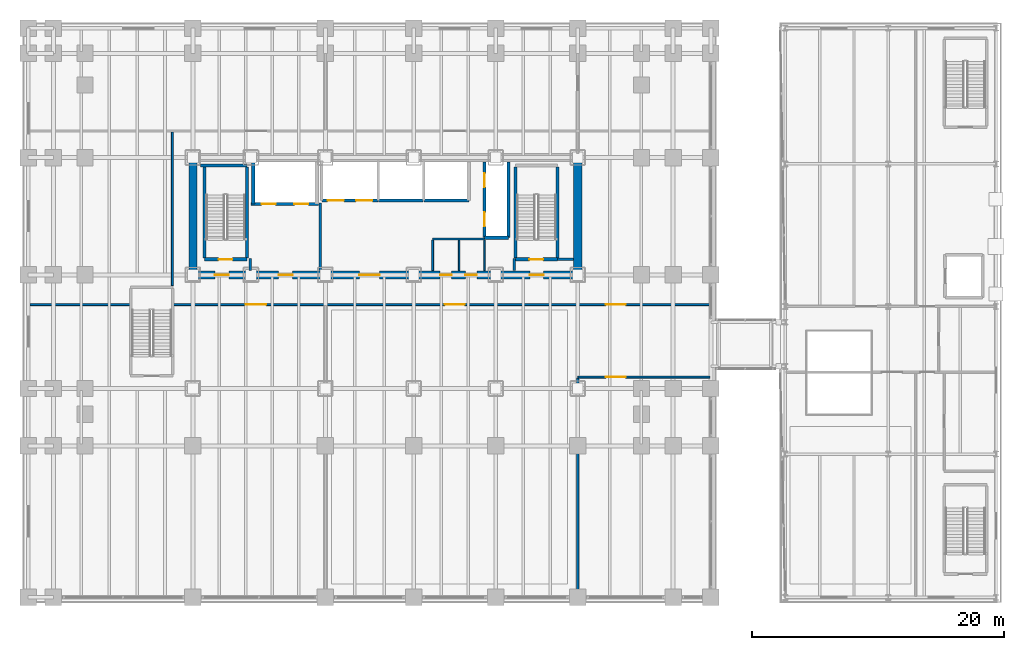
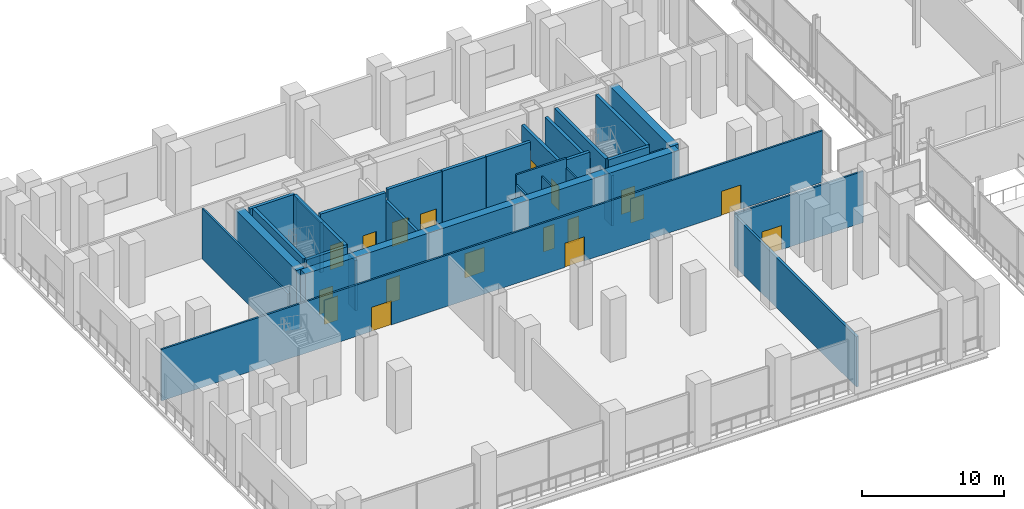
# One storey, part 22 of 31: 30 walls, 18 doors, 18 openings.
"""IFC4 building model written with IfcOpenShell, lengths in metres."""

from ifc_helpers import new_model, si_unit, direction, frame, frame_2d, origin, place, context, subcontext, project, spatial, rectangle, extrude, material, layer, layer_set, type_object, element, fill, save


model = new_model("IFC4")

# Units and contexts
model_context = context("Model", 3, precision=1e-05, world=origin(), true_north=direction((0.0, 1.0)))
body_context = subcontext(model_context, "Body", "Model", "MODEL_VIEW")
ifc_project = project(units=[si_unit("LENGTHUNIT", "METRE"), si_unit("AREAUNIT", "SQUARE_METRE"), si_unit("VOLUMEUNIT", "CUBIC_METRE"), si_unit("PLANEANGLEUNIT", "RADIAN"), si_unit("MASSUNIT", "GRAM", prefix="KILO")], contexts=[model_context])

# Site, building, storey
site_placement = place(None, origin())
site = spatial("IfcSite", under=ifc_project, at=site_placement, CompositionType="ELEMENT")
building_placement = place(site_placement, origin())
building = spatial("IfcBuilding", under=site, at=building_placement, Name="Noeulbin Bourse Tower", CompositionType="ELEMENT")
storey_placement = place(building_placement, frame((0.0, 0.0, 11.199951171875)))
storey = spatial("IfcBuildingStorey", under=building, at=storey_placement, Name="L03", CompositionType="ELEMENT", Elevation=11.199951171875)

# Wall, openings, doors
ifc_material_1 = material(Name="Concrete C60/75", Category="concrete")
ifc_layer_1 = layer(ifc_material_1, 0.64990234375)
ifc_layer_set_1 = layer_set([ifc_layer_1], Name="Concrete C60/75")
wall_type_1 = type_object("IfcWallType", Name="WAL-CORE-650", PredefinedType="SHEAR", material=ifc_layer_set_1)
wall_1_placement = place(storey_placement, frame((13.5, 29.0, 0.0), z_axis=(0.0, 0.0, 1.0), x_axis=(1.0, 0.0, 0.0)))
wall_1 = element("IfcWall", 1, at=wall_1_placement, inside=storey, type_object=wall_type_1, Name="Rear Core South Shear Wall L03", PredefinedType="SHEAR", context=body_context, shape_type="SweptSolid", body=[
    extrude(rectangle(XDim=30.5, YDim=0.64990234375, at=frame_2d((15.25, 0.0))), origin(), (0.0, 0.0, 1.0), 5.150146484375),
])
opening_1_placement = place(wall_1_placement, frame((1.75, 0.0, 0.0)))
opening_1 = element("IfcOpeningElement", 2, at=opening_1_placement, cuts=wall_1, Name="Opening FD-11", PredefinedType="OPENING", context=body_context, shape_type="SweptSolid", body=[
    extrude(rectangle(XDim=1.10009765625, YDim=2.080078125, at=frame_2d((0.550048828125, 1.0400390625))), frame((0.0, 0.3349609375, 0.0), z_axis=(0.0, -1.0, 0.0), x_axis=(1.0, 0.0, 0.0)), (0.0, 0.0, 1.0), 0.669921875),
])
opening_2_placement = place(wall_1_placement, frame((26.699951171875, 0.0, 0.0)))
opening_2 = element("IfcOpeningElement", 3, at=opening_2_placement, cuts=wall_1, Name="Opening FD-11", PredefinedType="OPENING", context=body_context, shape_type="SweptSolid", body=[
    extrude(rectangle(XDim=1.10009765625, YDim=2.080078125, at=frame_2d((0.550048828125, 1.0400390625))), frame((0.0, 0.3349609375, 0.0), z_axis=(0.0, -1.0, 0.0), x_axis=(1.0, 0.0, 0.0)), (0.0, 0.0, 1.0), 0.669921875),
])
opening_3_placement = place(wall_1_placement, frame((6.800048828125, 0.0, 0.0)))
opening_3 = element("IfcOpeningElement", 4, at=opening_3_placement, cuts=wall_1, Name="Opening FD-11", PredefinedType="OPENING", context=body_context, shape_type="SweptSolid", body=[
    extrude(rectangle(XDim=1.10009765625, YDim=2.080078125, at=frame_2d((0.550048828125, 1.0400390625))), frame((0.0, 0.3349609375, 0.0), z_axis=(0.0, -1.0, 0.0), x_axis=(1.0, 0.0, 0.0)), (0.0, 0.0, 1.0), 0.669921875),
])
opening_4_placement = place(wall_1_placement, frame((13.199951171875, 0.0, 0.0)))
opening_4 = element("IfcOpeningElement", 5, at=opening_4_placement, cuts=wall_1, Name="Opening ID-16", PredefinedType="OPENING", context=body_context, shape_type="SweptSolid", body=[
    extrude(rectangle(XDim=1.60009765625, YDim=2.080078125, at=frame_2d((0.800048828125, 1.0400390625))), frame((0.0, 0.3349609375, 0.0), z_axis=(0.0, -1.0, 0.0), x_axis=(1.0, 0.0, 0.0)), (0.0, 0.0, 1.0), 0.669921875),
])
opening_5_placement = place(wall_1_placement, frame((19.60009765625, 0.0, 0.0)))
opening_5 = element("IfcOpeningElement", 6, at=opening_5_placement, cuts=wall_1, Name="Opening FD-09", PredefinedType="OPENING", context=body_context, shape_type="SweptSolid", body=[
    extrude(rectangle(XDim=0.89990234375, YDim=2.080078125, at=frame_2d((0.449951171875, 1.0400390625))), frame((0.0, 0.3349609375, 0.0), z_axis=(0.0, -1.0, 0.0), x_axis=(1.0, 0.0, 0.0)), (0.0, 0.0, 1.0), 0.669921875),
])
opening_6_placement = place(wall_1_placement, frame((21.60009765625, 0.0, 0.0)))
opening_6 = element("IfcOpeningElement", 7, at=opening_6_placement, cuts=wall_1, Name="Opening FD-09", PredefinedType="OPENING", context=body_context, shape_type="SweptSolid", body=[
    extrude(rectangle(XDim=0.89990234375, YDim=2.080078125, at=frame_2d((0.449951171875, 1.0400390625))), frame((0.0, 0.3349609375, 0.0), z_axis=(0.0, -1.0, 0.0), x_axis=(1.0, 0.0, 0.0)), (0.0, 0.0, 1.0), 0.669921875),
])
ifc_material_2 = material(Name="Acoustic Glazed Aluminium", Category="aluminium")
door_type_1 = type_object("IfcDoorType", Name="DR-DBL-1600", OperationType="DOUBLE_DOOR_SINGLE_SWING", PredefinedType="DOOR", material=ifc_material_2)
door_1_placement = place(opening_4_placement, origin())
door_1 = element("IfcDoor", 8, at=door_1_placement, inside=storey, type_object=door_type_1, Name="Passenger Lift Lobby Portal L03", OperationType="DOUBLE_DOOR_SINGLE_SWING", OverallHeight=2.080078125, OverallWidth=1.60009765625, PredefinedType="DOOR", context=body_context, shape_type="SweptSolid", body=[
    extrude(rectangle(XDim=1.60009765625, YDim=2.080078125, at=frame_2d((0.800048828125, 1.0400390625))), frame((0.0, 0.02490234375, 0.0), z_axis=(0.0, -1.0, 0.0), x_axis=(1.0, 0.0, 0.0)), (0.0, 0.0, 1.0), 0.050048828125),
])
fill(opening_4, door_1)
ifc_material_3 = material(Name="Fire-Rated Timber Core", Category="wood")
door_type_2 = type_object("IfcDoorType", Name="DR-FD30-900", OperationType="SINGLE_SWING_RIGHT", PredefinedType="DOOR", material=ifc_material_3)
door_2_placement = place(opening_5_placement, origin())
door_2 = element("IfcDoor", 9, at=door_2_placement, inside=storey, type_object=door_type_2, Name="Interior Door L03-18", OperationType="SINGLE_SWING_LEFT", OverallHeight=2.080078125, OverallWidth=0.89990234375, PredefinedType="DOOR", context=body_context, shape_type="SweptSolid", body=[
    extrude(rectangle(XDim=0.89990234375, YDim=2.080078125, at=frame_2d((0.449951171875, 1.0400390625))), frame((0.0, 0.02490234375, 0.0), z_axis=(0.0, -1.0, 0.0), x_axis=(1.0, 0.0, 0.0)), (0.0, 0.0, 1.0), 0.050048828125),
])
fill(opening_5, door_2)
door_3_placement = place(opening_6_placement, origin())
door_3 = element("IfcDoor", 10, at=door_3_placement, inside=storey, type_object=door_type_2, Name="Interior Door L03-19", OperationType="SINGLE_SWING_RIGHT", OverallHeight=2.080078125, OverallWidth=0.89990234375, PredefinedType="DOOR", context=body_context, shape_type="SweptSolid", body=[
    extrude(rectangle(XDim=0.89990234375, YDim=2.080078125, at=frame_2d((0.449951171875, 1.0400390625))), frame((0.0, 0.02490234375, 0.0), z_axis=(0.0, -1.0, 0.0), x_axis=(1.0, 0.0, 0.0)), (0.0, 0.0, 1.0), 0.050048828125),
])
fill(opening_6, door_3)
ifc_material_4 = material(Name="Fire-Rated Insulated Steel", Category="steel")
door_type_3 = type_object("IfcDoorType", Name="DR-FD60-1100", OperationType="SINGLE_SWING_LEFT", PredefinedType="DOOR", material=ifc_material_4)
door_4_placement = place(opening_1_placement, origin())
door_4 = element("IfcDoor", 11, at=door_4_placement, inside=storey, type_object=door_type_3, Name="West Stair Lobby Door L03", OperationType="SINGLE_SWING_LEFT", OverallHeight=2.080078125, OverallWidth=1.10009765625, PredefinedType="DOOR", context=body_context, shape_type="SweptSolid", body=[
    extrude(rectangle(XDim=1.10009765625, YDim=2.080078125, at=frame_2d((0.550048828125, 1.0400390625))), frame((0.0, 0.02490234375, 0.0), z_axis=(0.0, -1.0, 0.0), x_axis=(1.0, 0.0, 0.0)), (0.0, 0.0, 1.0), 0.050048828125),
])
fill(opening_1, door_4)
door_5_placement = place(opening_2_placement, origin())
door_5 = element("IfcDoor", 12, at=door_5_placement, inside=storey, type_object=door_type_3, Name="East Stair Lobby Door L03", OperationType="SINGLE_SWING_RIGHT", OverallHeight=2.080078125, OverallWidth=1.10009765625, PredefinedType="DOOR", context=body_context, shape_type="SweptSolid", body=[
    extrude(rectangle(XDim=1.10009765625, YDim=2.080078125, at=frame_2d((0.550048828125, 1.0400390625))), frame((0.0, 0.02490234375, 0.0), z_axis=(0.0, -1.0, 0.0), x_axis=(1.0, 0.0, 0.0)), (0.0, 0.0, 1.0), 0.050048828125),
])
fill(opening_2, door_5)
door_6_placement = place(opening_3_placement, origin())
door_6 = element("IfcDoor", 13, at=door_6_placement, inside=storey, type_object=door_type_3, Name="Firefighting Lobby Door L03", OperationType="SINGLE_SWING_LEFT", OverallHeight=2.080078125, OverallWidth=1.10009765625, PredefinedType="DOOR", context=body_context, shape_type="SweptSolid", body=[
    extrude(rectangle(XDim=1.10009765625, YDim=2.080078125, at=frame_2d((0.550048828125, 1.0400390625))), frame((0.0, 0.02490234375, 0.0), z_axis=(0.0, -1.0, 0.0), x_axis=(1.0, 0.0, 0.0)), (0.0, 0.0, 1.0), 0.050048828125),
])
fill(opening_3, door_6)

# Walls
for number, where, z_axis, x_axis, name in (
    (14, (13.5, 29.35009765625, 0.0), (0.0, 0.0, 1.0), (0.0, 1.0, 0.0), "Rear Core West Shear Wall L03"),
    (15, (44.0, 29.35009765625, 0.0), (0.0, 0.0, 1.0), (0.0, 1.0, 0.0), "Rear Core East Shear Wall L03"),
):
    element("IfcWall", number, at=place(storey_placement, frame(where, z_axis=z_axis, x_axis=x_axis)), inside=storey, type_object=wall_type_1, Name=name, PredefinedType="SHEAR", context=body_context, shape_type="SweptSolid", body=[
        extrude(rectangle(XDim=8.599853515625, YDim=0.64990234375, at=frame_2d((4.2998046875, 0.0))), origin(), (0.0, 0.0, 1.0), 5.150146484375),
    ])
ifc_material_5 = material(Name="Concrete C40/50", Category="concrete")
ifc_layer_2 = layer(ifc_material_5, 0.199951171875)
ifc_layer_set_2 = layer_set([ifc_layer_2], Name="Concrete C40/50")
wall_type_2 = type_object("IfcWallType", Name="WAL-FIRE-200", PredefinedType="STANDARD", material=ifc_layer_set_2)
wall_2_placement = place(storey_placement, frame((42.39990234375, 30.239990234375, 0.0), z_axis=(0.0, 0.0, 1.0), x_axis=(1.0, 0.0, 0.0)))
element("IfcWall", 16, at=wall_2_placement, inside=storey, type_object=wall_type_2, Name="Interior Partition Wall L03-07", PredefinedType="STANDARD", context=body_context, shape_type="SweptSolid", body=[
    extrude(rectangle(XDim=1.26513671875, YDim=0.199951171875, at=frame_2d((0.632568359375, 0.0))), origin(), (0.0, 0.0, 1.0), 4.429931640625),
])
wall_3_placement = place(storey_placement, frame((44.0, 3.530029296875, 0.0), z_axis=(0.0, 0.0, 1.0), x_axis=(0.0, 1.0, 0.0)))
element("IfcWall", 17, at=wall_3_placement, inside=storey, type_object=wall_type_2, Name="Interior Partition Wall L03-10", PredefinedType="STANDARD", context=body_context, shape_type="SweptSolid", body=[
    extrude(rectangle(XDim=17.284912109375, YDim=0.199951171875, at=frame_2d((8.642578125, 0.0))), origin(), (0.0, 0.0, 1.0), 4.330078125),
])
for number, where, z_axis, x_axis, name in (
    (18, (18.050048828125, 29.3349609375, 0.0), (0.0, 0.0, 1.0), (0.0, 1.0, 0.0), "Interior Partition Wall L03-19"),
    (19, (38.949951171875, 29.3349609375, 0.0), (0.0, 0.0, 1.0), (0.0, 1.0, 0.0), "Interior Partition Wall L03-20"),
):
    element("IfcWall", number, at=place(storey_placement, frame(where, z_axis=z_axis, x_axis=x_axis)), inside=storey, type_object=wall_type_2, Name=name, PredefinedType="STANDARD", context=body_context, shape_type="SweptSolid", body=[
        extrude(rectangle(XDim=0.965087890625, YDim=0.199951171875, at=frame_2d((0.482421875, 0.0))), origin(), (0.0, 0.0, 1.0), 4.330078125),
    ])
wall_4_placement = place(storey_placement, frame((23.60009765625, 29.3349609375, 0.0), z_axis=(0.0, 0.0, 1.0), x_axis=(0.0, 1.0, 0.0)))
element("IfcWall", 20, at=wall_4_placement, inside=storey, type_object=wall_type_2, Name="Interior Partition Wall L03-21", PredefinedType="STANDARD", context=body_context, shape_type="SweptSolid", body=[
    extrude(rectangle(XDim=5.364990234375, YDim=0.199951171875, at=frame_2d((2.6826171875, 0.0))), origin(), (0.0, 0.0, 1.0), 4.330078125),
])
ifc_material_6 = material(Name="Steel Stud Gypsum Partition", Category="steel")
ifc_layer_3 = layer(ifc_material_6, 0.1201171875)
ifc_layer_set_3 = layer_set([ifc_layer_3], Name="Steel Stud Gypsum Partition")
wall_type_3 = type_object("IfcWallType", Name="WAL-PRT-120", PredefinedType="PARTITIONING", material=ifc_layer_set_3)
for number, where, z_axis, x_axis, name in (
    (21, (36.60009765625, 29.3349609375, 0.0), (0.0, 0.0, 1.0), (0.0, 1.0, 0.0), "Interior Partition Wall L03-23"),
    (22, (34.60009765625, 29.3349609375, 0.0), (0.0, 0.0, 1.0), (0.0, 1.0, 0.0), "Interior Partition Wall L03-24"),
):
    element("IfcWall", number, at=place(storey_placement, frame(where, z_axis=z_axis, x_axis=x_axis)), inside=storey, type_object=wall_type_3, Name=name, PredefinedType="PARTITIONING", context=body_context, shape_type="SweptSolid", body=[
        extrude(rectangle(XDim=2.429931640625, YDim=0.1201171875, at=frame_2d((1.21484375, 0.0))), origin(), (0.0, 0.0, 1.0), 4.330078125),
    ])

# Wall, openings, doors
ifc_material_7 = material(Name="Steel Stud Acoustic Gypsum Board", Category="steel")
ifc_layer_4 = layer(ifc_material_7, 0.14990234375)
ifc_layer_set_4 = layer_set([ifc_layer_4], Name="Steel Stud Acoustic Gypsum Board")
wall_type_4 = type_object("IfcWallType", Name="WAL-PRT-150", PredefinedType="PARTITIONING", material=ifc_layer_set_4)
wall_5_placement = place(storey_placement, frame((0.580078125, 26.64990234375, 0.0), z_axis=(0.0, 0.0, 1.0), x_axis=(1.0, 0.0, 0.0)))
wall_5 = element("IfcWall", 23, at=wall_5_placement, inside=storey, type_object=wall_type_4, Name="Interior Partition Wall L03-01", PredefinedType="PARTITIONING", context=body_context, shape_type="SweptSolid", body=[
    extrude(rectangle(XDim=53.889892578125, YDim=0.14990234375, at=frame_2d((26.94482421875, 0.0))), origin(), (0.0, 0.0, 1.0), 4.429931640625),
])
opening_7_placement = place(wall_5_placement, frame((17.1201171875, 0.0, 0.0)))
opening_7 = element("IfcOpeningElement", 24, at=opening_7_placement, cuts=wall_5, Name="Opening ID-16", PredefinedType="OPENING", context=body_context, shape_type="SweptSolid", body=[
    extrude(rectangle(XDim=1.60009765625, YDim=2.080078125, at=frame_2d((0.800048828125, 1.0400390625))), frame((0.0, 0.0849609375, 0.0), z_axis=(0.0, -1.0, 0.0), x_axis=(1.0, 0.0, 0.0)), (0.0, 0.0, 1.0), 0.169921875),
])
opening_8_placement = place(wall_5_placement, frame((32.8701171875, 0.0, 0.0)))
opening_8 = element("IfcOpeningElement", 25, at=opening_8_placement, cuts=wall_5, Name="Opening ID-16", PredefinedType="OPENING", context=body_context, shape_type="SweptSolid", body=[
    extrude(rectangle(XDim=1.60009765625, YDim=2.080078125, at=frame_2d((0.800048828125, 1.0400390625))), frame((0.0, 0.0849609375, 0.0), z_axis=(0.0, -1.0, 0.0), x_axis=(1.0, 0.0, 0.0)), (0.0, 0.0, 1.0), 0.169921875),
])
opening_9_placement = place(wall_5_placement, frame((45.6201171875, 0.0, 0.0)))
opening_9 = element("IfcOpeningElement", 26, at=opening_9_placement, cuts=wall_5, Name="Opening ID-16", PredefinedType="OPENING", context=body_context, shape_type="SweptSolid", body=[
    extrude(rectangle(XDim=1.60009765625, YDim=2.080078125, at=frame_2d((0.800048828125, 1.0400390625))), frame((0.0, 0.0849609375, 0.0), z_axis=(0.0, -1.0, 0.0), x_axis=(1.0, 0.0, 0.0)), (0.0, 0.0, 1.0), 0.169921875),
])
door_7_placement = place(opening_7_placement, origin())
door_7 = element("IfcDoor", 27, at=door_7_placement, inside=storey, type_object=door_type_1, Name="Interior Door L03-01", OperationType="DOUBLE_DOOR_SINGLE_SWING", OverallHeight=2.080078125, OverallWidth=1.60009765625, PredefinedType="DOOR", context=body_context, shape_type="SweptSolid", body=[
    extrude(rectangle(XDim=1.60009765625, YDim=2.080078125, at=frame_2d((0.800048828125, 1.0400390625))), frame((0.0, 0.02490234375, 0.0), z_axis=(0.0, -1.0, 0.0), x_axis=(1.0, 0.0, 0.0)), (0.0, 0.0, 1.0), 0.050048828125),
])
fill(opening_7, door_7)
door_8_placement = place(opening_8_placement, origin())
door_8 = element("IfcDoor", 28, at=door_8_placement, inside=storey, type_object=door_type_1, Name="Interior Door L03-02", OperationType="DOUBLE_DOOR_SINGLE_SWING", OverallHeight=2.080078125, OverallWidth=1.60009765625, PredefinedType="DOOR", context=body_context, shape_type="SweptSolid", body=[
    extrude(rectangle(XDim=1.60009765625, YDim=2.080078125, at=frame_2d((0.800048828125, 1.0400390625))), frame((0.0, 0.02490234375, 0.0), z_axis=(0.0, -1.0, 0.0), x_axis=(1.0, 0.0, 0.0)), (0.0, 0.0, 1.0), 0.050048828125),
])
fill(opening_8, door_8)
door_9_placement = place(opening_9_placement, origin())
door_9 = element("IfcDoor", 29, at=door_9_placement, inside=storey, type_object=door_type_1, Name="Interior Door L03-04", OperationType="DOUBLE_DOOR_SINGLE_SWING", OverallHeight=2.080078125, OverallWidth=1.60009765625, PredefinedType="DOOR", context=body_context, shape_type="SweptSolid", body=[
    extrude(rectangle(XDim=1.60009765625, YDim=2.080078125, at=frame_2d((0.800048828125, 1.0400390625))), frame((0.0, 0.02490234375, 0.0), z_axis=(0.0, -1.0, 0.0), x_axis=(1.0, 0.0, 0.0)), (0.0, 0.0, 1.0), 0.050048828125),
])
fill(opening_9, door_9)

# Wall, opening, door
wall_6_placement = place(storey_placement, frame((44.0, 20.89990234375, 0.0), z_axis=(0.0, 0.0, 1.0), x_axis=(1.0, 0.0, 0.0)))
wall_6 = element("IfcWall", 30, at=wall_6_placement, inside=storey, type_object=wall_type_4, Name="Interior Partition Wall L03-02", PredefinedType="PARTITIONING", context=body_context, shape_type="SweptSolid", body=[
    extrude(rectangle(XDim=10.469970703125, YDim=0.14990234375, at=frame_2d((5.23486328125, 0.0))), origin(), (0.0, 0.0, 1.0), 4.429931640625),
])
opening_10_placement = place(wall_6_placement, frame((2.199951171875, 0.0, 0.0)))
opening_10 = element("IfcOpeningElement", 31, at=opening_10_placement, cuts=wall_6, Name="Opening ID-16", PredefinedType="OPENING", context=body_context, shape_type="SweptSolid", body=[
    extrude(rectangle(XDim=1.60009765625, YDim=2.080078125, at=frame_2d((0.800048828125, 1.0400390625))), frame((0.0, 0.0849609375, 0.0), z_axis=(0.0, -1.0, 0.0), x_axis=(1.0, 0.0, 0.0)), (0.0, 0.0, 1.0), 0.169921875),
])
door_10_placement = place(opening_10_placement, origin())
door_10 = element("IfcDoor", 32, at=door_10_placement, inside=storey, type_object=door_type_1, Name="Interior Door L03-03", OperationType="DOUBLE_DOOR_SINGLE_SWING", OverallHeight=2.080078125, OverallWidth=1.60009765625, PredefinedType="DOOR", context=body_context, shape_type="SweptSolid", body=[
    extrude(rectangle(XDim=1.60009765625, YDim=2.080078125, at=frame_2d((0.800048828125, 1.0400390625))), frame((0.0, 0.02490234375, 0.0), z_axis=(0.0, -1.0, 0.0), x_axis=(1.0, 0.0, 0.0)), (0.0, 0.0, 1.0), 0.050048828125),
])
fill(opening_10, door_10)

# Walls
wall_7_placement = place(storey_placement, frame((32.5, 31.85009765625, 0.0), z_axis=(0.0, 0.0, 1.0), x_axis=(1.0, 0.0, 0.0)))
element("IfcWall", 33, at=wall_7_placement, inside=storey, type_object=wall_type_4, Name="Interior Partition Wall L03-08", PredefinedType="PARTITIONING", context=body_context, shape_type="SweptSolid", body=[
    extrude(rectangle(XDim=4.10009765625, YDim=0.14990234375, at=frame_2d((2.050048828125, 0.0))), origin(), (0.0, 0.0, 1.0), 5.150146484375),
])
wall_8_placement = place(storey_placement, frame((11.8798828125, 28.14990234375, 0.0), z_axis=(0.0, 0.0, 1.0), x_axis=(0.0, 1.0, 0.0)))
element("IfcWall", 34, at=wall_8_placement, inside=storey, type_object=wall_type_4, Name="Interior Partition Wall L03-11", PredefinedType="PARTITIONING", context=body_context, shape_type="SweptSolid", body=[
    extrude(rectangle(XDim=12.1650390625, YDim=0.14990234375, at=frame_2d((6.08251953125, 0.0))), origin(), (0.0, 0.0, 1.0), 4.330078125),
])
wall_9_placement = place(storey_placement, frame((32.5, 29.3349609375, 0.0), z_axis=(0.0, 0.0, 1.0), x_axis=(0.0, 1.0, 0.0)))
element("IfcWall", 35, at=wall_9_placement, inside=storey, type_object=wall_type_4, Name="Interior Partition Wall L03-22", PredefinedType="PARTITIONING", context=body_context, shape_type="SweptSolid", body=[
    extrude(rectangle(XDim=2.429931640625, YDim=0.14990234375, at=frame_2d((1.21484375, 0.0))), origin(), (0.0, 0.0, 1.0), 4.330078125),
])

# Wall, opening, door
ifc_layer_5 = layer(ifc_material_5, 0.25)
ifc_layer_set_5 = layer_set([ifc_layer_5], Name="Concrete C40/50")
wall_type_5 = type_object("IfcWallType", Name="WAL-SHFT-250", PredefinedType="STANDARD", material=ifc_layer_set_5)
wall_10_placement = place(storey_placement, frame((14.429931640625, 30.235107421875, 0.0), z_axis=(0.0, 0.0, 1.0), x_axis=(1.0, 0.0, 0.0)))
wall_10 = element("IfcWall", 36, at=wall_10_placement, inside=storey, type_object=wall_type_5, Name="Stair ST-1 South Shaft Wall L03", PredefinedType="STANDARD", context=body_context, shape_type="SweptSolid", body=[
    extrude(rectangle(XDim=3.340087890625, YDim=0.25, at=frame_2d((1.669921875, 0.0))), origin(), (0.0, 0.0, 1.0), 5.150146484375),
])
opening_11_placement = place(wall_10_placement, frame((1.10009765625, 0.0, 0.0)))
opening_11 = element("IfcOpeningElement", 37, at=opening_11_placement, cuts=wall_10, Name="Opening FD-11", PredefinedType="OPENING", context=body_context, shape_type="SweptSolid", body=[
    extrude(rectangle(XDim=1.10009765625, YDim=2.080078125, at=frame_2d((0.550048828125, 1.0400390625))), frame((0.0, 0.135009765625, 0.0), z_axis=(0.0, -1.0, 0.0), x_axis=(1.0, 0.0, 0.0)), (0.0, 0.0, 1.0), 0.27001953125),
])
door_11_placement = place(opening_11_placement, origin())
door_11 = element("IfcDoor", 38, at=door_11_placement, inside=storey, type_object=door_type_3, Name="Protected Stair Entry Door ST1-L03", OperationType="SINGLE_SWING_RIGHT", OverallHeight=2.080078125, OverallWidth=1.10009765625, PredefinedType="DOOR", context=body_context, shape_type="SweptSolid", body=[
    extrude(rectangle(XDim=1.10009765625, YDim=2.080078125, at=frame_2d((0.550048828125, 1.0400390625))), frame((0.0, 0.02490234375, 0.0), z_axis=(0.0, -1.0, 0.0), x_axis=(1.0, 0.0, 0.0)), (0.0, 0.0, 1.0), 0.050048828125),
])
fill(opening_11, door_11)

# Walls
wall_11_placement = place(storey_placement, frame((14.10009765625, 37.6689453125, 0.0), z_axis=(0.0, 0.0, 1.0), x_axis=(1.0, 0.0, 0.0)))
element("IfcWall", 39, at=wall_11_placement, inside=storey, type_object=wall_type_5, Name="Stair ST-1 North Shaft Wall L03", PredefinedType="STANDARD", context=body_context, shape_type="SweptSolid", body=[
    extrude(rectangle(XDim=3.669921875, YDim=0.25, at=frame_2d((1.8349609375, 0.0))), origin(), (0.0, 0.0, 1.0), 5.150146484375),
])
for number, where, z_axis, x_axis, name in (
    (40, (14.425048828125, 30.360107421875, 0.0), (0.0, 0.0, 1.0), (0.0, 1.0, 0.0), "Stair ST-1 West Shaft Wall L03"),
    (41, (17.77490234375, 30.360107421875, 0.0), (0.0, 0.0, 1.0), (0.0, 1.0, 0.0), "Stair ST-1 East Shaft Wall L03"),
):
    element("IfcWall", number, at=place(storey_placement, frame(where, z_axis=z_axis, x_axis=x_axis)), inside=storey, type_object=wall_type_5, Name=name, PredefinedType="STANDARD", context=body_context, shape_type="SweptSolid", body=[
        extrude(rectangle(XDim=7.183837890625, YDim=0.25, at=frame_2d((3.591796875, 0.0))), origin(), (0.0, 0.0, 1.0), 5.150146484375),
    ])

# Wall, opening, door
wall_12_placement = place(storey_placement, frame((39.06005859375, 30.235107421875, 0.0), z_axis=(0.0, 0.0, 1.0), x_axis=(1.0, 0.0, 0.0)))
wall_12 = element("IfcWall", 42, at=wall_12_placement, inside=storey, type_object=wall_type_5, Name="Stair ST-2 South Shaft Wall L03", PredefinedType="STANDARD", context=body_context, shape_type="SweptSolid", body=[
    extrude(rectangle(XDim=3.33984375, YDim=0.25, at=frame_2d((1.669921875, 0.0))), origin(), (0.0, 0.0, 1.0), 5.150146484375),
])
opening_12_placement = place(wall_12_placement, frame((1.10009765625, 0.0, 0.0)))
opening_12 = element("IfcOpeningElement", 43, at=opening_12_placement, cuts=wall_12, Name="Opening FD-11", PredefinedType="OPENING", context=body_context, shape_type="SweptSolid", body=[
    extrude(rectangle(XDim=1.10009765625, YDim=2.080078125, at=frame_2d((0.550048828125, 1.0400390625))), frame((0.0, 0.135009765625, 0.0), z_axis=(0.0, -1.0, 0.0), x_axis=(1.0, 0.0, 0.0)), (0.0, 0.0, 1.0), 0.27001953125),
])
door_12_placement = place(opening_12_placement, origin())
door_12 = element("IfcDoor", 44, at=door_12_placement, inside=storey, type_object=door_type_3, Name="Protected Stair Entry Door ST2-L03", OperationType="SINGLE_SWING_LEFT", OverallHeight=2.080078125, OverallWidth=1.10009765625, PredefinedType="DOOR", context=body_context, shape_type="SweptSolid", body=[
    extrude(rectangle(XDim=1.10009765625, YDim=2.080078125, at=frame_2d((0.550048828125, 1.0400390625))), frame((0.0, 0.02490234375, 0.0), z_axis=(0.0, -1.0, 0.0), x_axis=(1.0, 0.0, 0.0)), (0.0, 0.0, 1.0), 0.050048828125),
])
fill(opening_12, door_12)

# Walls
for number, where, z_axis, x_axis, name in (
    (45, (39.054931640625, 30.360107421875, 0.0), (0.0, 0.0, 1.0), (0.0, 1.0, 0.0), "Stair ST-2 West Shaft Wall L03"),
    (46, (42.405029296875, 30.360107421875, 0.0), (0.0, 0.0, 1.0), (0.0, 1.0, 0.0), "Stair ST-2 East Shaft Wall L03"),
):
    element("IfcWall", number, at=place(storey_placement, frame(where, z_axis=z_axis, x_axis=x_axis)), inside=storey, type_object=wall_type_5, Name=name, PredefinedType="STANDARD", context=body_context, shape_type="SweptSolid", body=[
        extrude(rectangle(XDim=7.183837890625, YDim=0.25, at=frame_2d((3.591796875, 0.0))), origin(), (0.0, 0.0, 1.0), 5.150146484375),
    ])

# Wall, openings, doors
wall_13_placement = place(storey_placement, frame((18.10009765625, 34.6201171875, 0.0), z_axis=(0.0, 0.0, 1.0), x_axis=(1.0, 0.0, 0.0)))
wall_13 = element("IfcWall", 47, at=wall_13_placement, inside=storey, type_object=wall_type_5, Name="Firefighting Lift Shaft Front L03", PredefinedType="STANDARD", context=body_context, shape_type="SweptSolid", body=[
    extrude(rectangle(XDim=5.349853515625, YDim=0.25, at=frame_2d((2.6748046875, 0.0))), origin(), (0.0, 0.0, 1.0), 5.150146484375),
])
opening_13_placement = place(wall_13_placement, frame((0.85009765625, 0.0, 0.0)))
opening_13 = element("IfcOpeningElement", 48, at=opening_13_placement, cuts=wall_13, Name="Opening LD-11", PredefinedType="OPENING", context=body_context, shape_type="SweptSolid", body=[
    extrude(rectangle(XDim=1.10009765625, YDim=2.080078125, at=frame_2d((0.550048828125, 1.0400390625))), frame((0.0, 0.135009765625, 0.0), z_axis=(0.0, -1.0, 0.0), x_axis=(1.0, 0.0, 0.0)), (0.0, 0.0, 1.0), 0.27001953125),
])
opening_14_placement = place(wall_13_placement, frame((3.449951171875, 0.0, 0.0)))
opening_14 = element("IfcOpeningElement", 49, at=opening_14_placement, cuts=wall_13, Name="Opening LD-11", PredefinedType="OPENING", context=body_context, shape_type="SweptSolid", body=[
    extrude(rectangle(XDim=1.10009765625, YDim=2.080078125, at=frame_2d((0.550048828125, 1.0400390625))), frame((0.0, 0.135009765625, 0.0), z_axis=(0.0, -1.0, 0.0), x_axis=(1.0, 0.0, 0.0)), (0.0, 0.0, 1.0), 0.27001953125),
])
ifc_material_8 = material(Name="Brushed Stainless Steel 316", Category="steel")
door_type_4 = type_object("IfcDoorType", Name="DR-LIFT-1100", OperationType="SLIDING_TO_LEFT", PredefinedType="DOOR", material=ifc_material_8)
door_13_placement = place(opening_13_placement, origin())
door_13 = element("IfcDoor", 50, at=door_13_placement, inside=storey, type_object=door_type_4, Name="Lift Landing Door LD-FL-01-L03", OperationType="SLIDING_TO_LEFT", OverallHeight=2.080078125, OverallWidth=1.10009765625, PredefinedType="DOOR", context=body_context, shape_type="SweptSolid", body=[
    extrude(rectangle(XDim=1.10009765625, YDim=2.080078125, at=frame_2d((0.550048828125, 1.0400390625))), frame((0.0, 0.02490234375, 0.0), z_axis=(0.0, -1.0, 0.0), x_axis=(1.0, 0.0, 0.0)), (0.0, 0.0, 1.0), 0.050048828125),
])
fill(opening_13, door_13)
door_14_placement = place(opening_14_placement, origin())
door_14 = element("IfcDoor", 51, at=door_14_placement, inside=storey, type_object=door_type_4, Name="Lift Landing Door LD-FL-02-L03", OperationType="SLIDING_TO_LEFT", OverallHeight=2.080078125, OverallWidth=1.10009765625, PredefinedType="DOOR", context=body_context, shape_type="SweptSolid", body=[
    extrude(rectangle(XDim=1.10009765625, YDim=2.080078125, at=frame_2d((0.550048828125, 1.0400390625))), frame((0.0, 0.02490234375, 0.0), z_axis=(0.0, -1.0, 0.0), x_axis=(1.0, 0.0, 0.0)), (0.0, 0.0, 1.0), 0.050048828125),
])
fill(opening_14, door_14)

wall_14_placement = place(storey_placement, frame((36.6201171875, 31.949951171875, 0.0), z_axis=(0.0, 0.0, 1.0), x_axis=(0.0, 1.0, 0.0)))
wall_14 = element("IfcWall", 52, at=wall_14_placement, inside=storey, type_object=wall_type_5, Name="Service Lift Shaft Wall L03", PredefinedType="STANDARD", context=body_context, shape_type="SweptSolid", body=[
    extrude(rectangle(XDim=6.0, YDim=0.25, at=frame_2d((3.0, 0.0))), origin(), (0.0, 0.0, 1.0), 4.330078125),
])
opening_15_placement = place(wall_14_placement, frame((0.89990234375, 0.0, 0.0)))
opening_15 = element("IfcOpeningElement", 53, at=opening_15_placement, cuts=wall_14, Name="Opening LD-11", PredefinedType="OPENING", context=body_context, shape_type="SweptSolid", body=[
    extrude(rectangle(XDim=1.10009765625, YDim=2.080078125, at=frame_2d((0.550048828125, 1.0400390625))), frame((0.0, 0.135009765625, 0.0), z_axis=(0.0, -1.0, 0.0), x_axis=(1.0, 0.0, 0.0)), (0.0, 0.0, 1.0), 0.27001953125),
])
opening_16_placement = place(wall_14_placement, frame((4.0, 0.0, 0.0)))
opening_16 = element("IfcOpeningElement", 54, at=opening_16_placement, cuts=wall_14, Name="Opening LD-11", PredefinedType="OPENING", context=body_context, shape_type="SweptSolid", body=[
    extrude(rectangle(XDim=1.10009765625, YDim=2.080078125, at=frame_2d((0.550048828125, 1.0400390625))), frame((0.0, 0.135009765625, 0.0), z_axis=(0.0, -1.0, 0.0), x_axis=(1.0, 0.0, 0.0)), (0.0, 0.0, 1.0), 0.27001953125),
])
door_15_placement = place(opening_15_placement, origin())
door_15 = element("IfcDoor", 55, at=door_15_placement, inside=storey, type_object=door_type_4, Name="Lift Landing Door LD-EL-01-L03", OperationType="SLIDING_TO_LEFT", OverallHeight=2.080078125, OverallWidth=1.10009765625, PredefinedType="DOOR", context=body_context, shape_type="SweptSolid", body=[
    extrude(rectangle(XDim=1.10009765625, YDim=2.080078125, at=frame_2d((0.550048828125, 1.0400390625))), frame((0.0, 0.02490234375, 0.0), z_axis=(0.0, -1.0, 0.0), x_axis=(1.0, 0.0, 0.0)), (0.0, 0.0, 1.0), 0.050048828125),
])
fill(opening_15, door_15)
door_16_placement = place(opening_16_placement, origin())
door_16 = element("IfcDoor", 56, at=door_16_placement, inside=storey, type_object=door_type_4, Name="Lift Landing Door LD-SV-01-L03", OperationType="SLIDING_TO_LEFT", OverallHeight=2.080078125, OverallWidth=1.10009765625, PredefinedType="DOOR", context=body_context, shape_type="SweptSolid", body=[
    extrude(rectangle(XDim=1.10009765625, YDim=2.080078125, at=frame_2d((0.550048828125, 1.0400390625))), frame((0.0, 0.02490234375, 0.0), z_axis=(0.0, -1.0, 0.0), x_axis=(1.0, 0.0, 0.0)), (0.0, 0.0, 1.0), 0.050048828125),
])
fill(opening_16, door_16)

# Walls
wall_15_placement = place(storey_placement, frame((38.52001953125, 31.949951171875, 0.0), z_axis=(0.0, 0.0, 1.0), x_axis=(0.0, 1.0, 0.0)))
element("IfcWall", 57, at=wall_15_placement, inside=storey, type_object=wall_type_5, Name="Service Lift East Shaft Wall L03", PredefinedType="STANDARD", context=body_context, shape_type="SweptSolid", body=[
    extrude(rectangle(XDim=6.0, YDim=0.25, at=frame_2d((3.0, 0.0))), origin(), (0.0, 0.0, 1.0), 4.330078125),
])
wall_16_placement = place(storey_placement, frame((36.6201171875, 31.949951171875, 0.0), z_axis=(0.0, 0.0, 1.0), x_axis=(1.0, 0.0, 0.0)))
element("IfcWall", 58, at=wall_16_placement, inside=storey, type_object=wall_type_5, Name="Service Lift South Shaft Wall L03", PredefinedType="STANDARD", context=body_context, shape_type="SweptSolid", body=[
    extrude(rectangle(XDim=1.89990234375, YDim=0.25, at=frame_2d((0.949951171875, 0.0))), origin(), (0.0, 0.0, 1.0), 4.97998046875),
])
wall_17_placement = place(storey_placement, frame((18.280029296875, 34.6201171875, 0.0), z_axis=(0.0, 0.0, 1.0), x_axis=(0.0, 1.0, 0.0)))
element("IfcWall", 59, at=wall_17_placement, inside=storey, type_object=wall_type_5, Name="Firefighting Lift West Shaft Wall L03", PredefinedType="STANDARD", context=body_context, shape_type="SweptSolid", body=[
    extrude(rectangle(XDim=3.329833984375, YDim=0.25, at=frame_2d((1.6650390625, 0.0))), origin(), (0.0, 0.0, 1.0), 4.330078125),
])

# Wall, openings, doors
wall_18_placement = place(storey_placement, frame((23.75, 34.89990234375, 0.0), z_axis=(0.0, 0.0, 1.0), x_axis=(1.0, 0.0, 0.0)))
wall_18 = element("IfcWall", 60, at=wall_18_placement, inside=storey, type_object=wall_type_5, Name="Low-Rise Lift Bank Front L03", PredefinedType="STANDARD", context=body_context, shape_type="SweptSolid", body=[
    extrude(rectangle(XDim=4.39990234375, YDim=0.25, at=frame_2d((2.199951171875, 0.0))), origin(), (0.0, 0.0, 1.0), 5.150146484375),
])
opening_17_placement = place(wall_18_placement, frame((0.419921875, 0.0, 0.0)))
opening_17 = element("IfcOpeningElement", 61, at=opening_17_placement, cuts=wall_18, Name="Opening LD-13", PredefinedType="OPENING", context=body_context, shape_type="SweptSolid", body=[
    extrude(rectangle(XDim=1.300048828125, YDim=2.080078125, at=frame_2d((0.64990234375, 1.0400390625))), frame((0.0, 0.135009765625, 0.0), z_axis=(0.0, -1.0, 0.0), x_axis=(1.0, 0.0, 0.0)), (0.0, 0.0, 1.0), 0.27001953125),
])
opening_18_placement = place(wall_18_placement, frame((2.679931640625, 0.0, 0.0)))
opening_18 = element("IfcOpeningElement", 62, at=opening_18_placement, cuts=wall_18, Name="Opening LD-13", PredefinedType="OPENING", context=body_context, shape_type="SweptSolid", body=[
    extrude(rectangle(XDim=1.300048828125, YDim=2.080078125, at=frame_2d((0.64990234375, 1.0400390625))), frame((0.0, 0.135009765625, 0.0), z_axis=(0.0, -1.0, 0.0), x_axis=(1.0, 0.0, 0.0)), (0.0, 0.0, 1.0), 0.27001953125),
])
door_type_5 = type_object("IfcDoorType", Name="DR-LIFT-1300", OperationType="DOUBLE_DOOR_SLIDING", PredefinedType="DOOR", material=ifc_material_8)
door_17_placement = place(opening_17_placement, origin())
door_17 = element("IfcDoor", 63, at=door_17_placement, inside=storey, type_object=door_type_5, Name="Lift Landing Door LD-PL-L1-L03", OperationType="DOUBLE_DOOR_SLIDING", OverallHeight=2.080078125, OverallWidth=1.300048828125, PredefinedType="DOOR", context=body_context, shape_type="SweptSolid", body=[
    extrude(rectangle(XDim=1.300048828125, YDim=2.080078125, at=frame_2d((0.64990234375, 1.0400390625))), frame((0.0, 0.02490234375, 0.0), z_axis=(0.0, -1.0, 0.0), x_axis=(1.0, 0.0, 0.0)), (0.0, 0.0, 1.0), 0.050048828125),
])
fill(opening_17, door_17)
door_18_placement = place(opening_18_placement, origin())
door_18 = element("IfcDoor", 64, at=door_18_placement, inside=storey, type_object=door_type_5, Name="Lift Landing Door LD-PL-L2-L03", OperationType="DOUBLE_DOOR_SLIDING", OverallHeight=2.080078125, OverallWidth=1.300048828125, PredefinedType="DOOR", context=body_context, shape_type="SweptSolid", body=[
    extrude(rectangle(XDim=1.300048828125, YDim=2.080078125, at=frame_2d((0.64990234375, 1.0400390625))), frame((0.0, 0.02490234375, 0.0), z_axis=(0.0, -1.0, 0.0), x_axis=(1.0, 0.0, 0.0)), (0.0, 0.0, 1.0), 0.050048828125),
])
fill(opening_18, door_18)

# Walls
wall_19_placement = place(storey_placement, frame((28.199951171875, 34.89990234375, 0.0), z_axis=(0.0, 0.0, 1.0), x_axis=(1.0, 0.0, 0.0)))
element("IfcWall", 65, at=wall_19_placement, inside=storey, type_object=wall_type_5, Name="Mid-Rise Lift Bank Front L03", PredefinedType="STANDARD", context=body_context, shape_type="SweptSolid", body=[
    extrude(rectangle(XDim=3.550048828125, YDim=0.25, at=frame_2d((1.77490234375, 0.0))), origin(), (0.0, 0.0, 1.0), 5.150146484375),
])
wall_20_placement = place(storey_placement, frame((31.800048828125, 34.89990234375, 0.0), z_axis=(0.0, 0.0, 1.0), x_axis=(1.0, 0.0, 0.0)))
element("IfcWall", 66, at=wall_20_placement, inside=storey, type_object=wall_type_5, Name="High-Rise Lift Bank Front L03", PredefinedType="STANDARD", context=body_context, shape_type="SweptSolid", body=[
    extrude(rectangle(XDim=3.599853515625, YDim=0.25, at=frame_2d((1.7998046875, 0.0))), origin(), (0.0, 0.0, 1.0), 5.150146484375),
])

save(model, "model.ifc")
